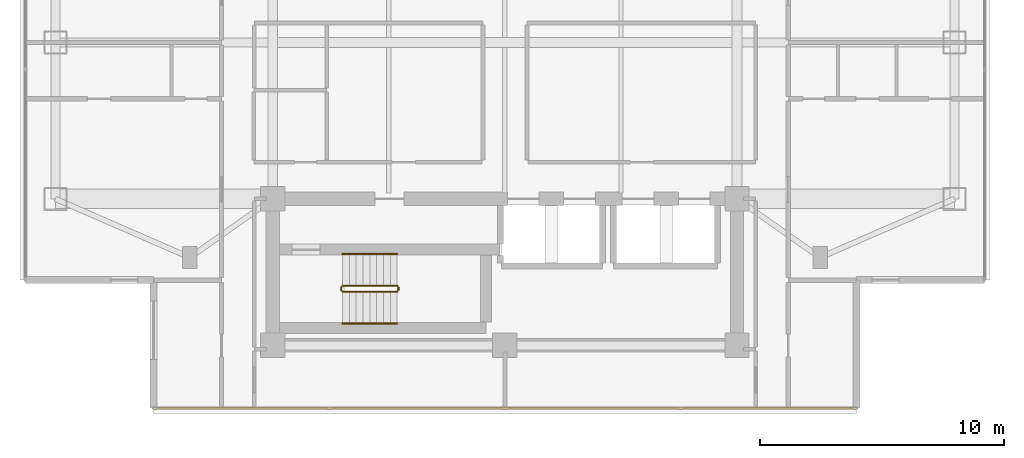
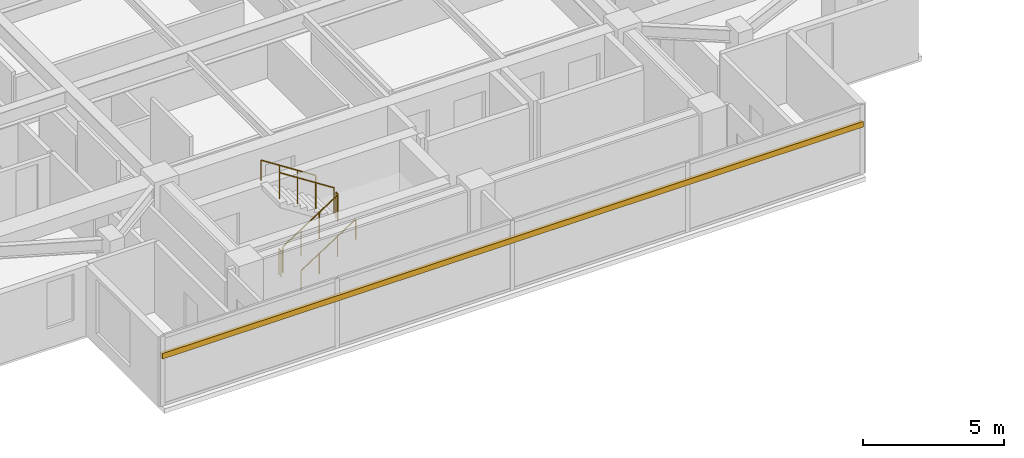
# One storey, part 20 of 24: 6 railings, 1 shading device.
"""IFC4 building model written with IfcOpenShell, lengths in metres."""

from ifc_helpers import new_model, si_unit, direction, frame, origin, origin_2d, place, context, subcontext, project, spatial, rectangle, circle, extrude, material, material_profile, profile_set, type_object, element, save


model = new_model("IFC4")

# Units and contexts
model_context = context("Model", 3, precision=1e-05, world=origin(), true_north=direction((0.0, 1.0)))
body_context = subcontext(model_context, "Body", "Model", "MODEL_VIEW")
ifc_project = project(units=[si_unit("LENGTHUNIT", "METRE"), si_unit("AREAUNIT", "SQUARE_METRE"), si_unit("VOLUMEUNIT", "CUBIC_METRE"), si_unit("PLANEANGLEUNIT", "RADIAN"), si_unit("MASSUNIT", "GRAM", prefix="KILO")], contexts=[model_context])

# Site, building, storey
site_placement = place(None, origin())
site = spatial("IfcSite", under=ifc_project, at=site_placement, CompositionType="ELEMENT")
building_placement = place(site_placement, origin())
building = spatial("IfcBuilding", under=site, at=building_placement, Name="Mirazonda Arch Towers", CompositionType="ELEMENT")
storey_placement = place(building_placement, frame((0.0, 0.0, 154.39990234375)))
storey = spatial("IfcBuildingStorey", under=building, at=storey_placement, Name="L43", CompositionType="ELEMENT", Elevation=154.39990234375)

# Shading device
ifc_material_1 = material(Name="Kiln-Fired Architectural Terracotta", Category="masonry")
ifc_material_profile = material_profile(ifc_material_1, rectangle(XDim=0.1201171875, YDim=0.239990234375, at=origin_2d()), Name="TERRA-BAG-120x240")
ifc_profile_set = profile_set([ifc_material_profile], Name="Kiln-Fired Architectural Terracotta")
shading_device_type = type_object("IfcShadingDeviceType", Name="BAGUETTE-1", PredefinedType="USERDEFINED", material=ifc_profile_set)
shading_device_placement = place(storey_placement, frame((34.885009765625, 9.830078125, 2.181640625), z_axis=(-1.0, 0.0, 0.0), x_axis=(0.0, -1.0, 0.0)))
element("IfcShadingDevice", 1, at=shading_device_placement, inside=storey, type_object=shading_device_type, Name="L43 Glazed Terracotta Sun-Screen Baguette CW-L43-T1-S", ObjectType="BAGUETTE", PredefinedType="USERDEFINED", context=body_context, shape_type="SweptSolid", body=[
    extrude(rectangle(XDim=0.1201171875, YDim=0.239990234375, at=origin_2d()), origin(), (0.0, 0.0, 1.0), 28.77001953125),
])

# Railings
ifc_material_2 = material(Name="Architectural Brushed Steel S355", Category="steel")
railing_type_1 = type_object("IfcRailingType", Name="GUARD-STAIR-1120", PredefinedType="GUARDRAIL", material=ifc_material_2)
railing_1_placement = place(storey_placement, frame((13.85009765625, 14.60009765625, 0.1806640625)))
element("IfcRailing", 2, at=railing_1_placement, inside=storey, type_object=railing_type_1, Name="L43 ST-T1S stair guard 1", PredefinedType="GUARDRAIL", context=body_context, shape_type="SweptSolid", body=[
    extrude(circle(Radius=0.02392578125, at=origin_2d()), frame((0.0, 0.0, 1.1259765625), z_axis=(0.840436612492, 0.0, 0.541909863706), x_axis=(0.0, 1.0, 0.0)), (0.0, 0.0, 1.0), 2.665283203125),
    extrude(circle(Radius=0.02099609375, at=origin_2d()), origin(), (0.0, 0.0, 1.0), 1.101806640625),
    extrude(circle(Radius=0.02099609375, at=origin_2d()), frame((0.74658203125, 0.0, 0.4814453125)), (0.0, 0.0, 1.0), 1.101806640625),
    extrude(circle(Radius=0.02099609375, at=origin_2d()), frame((1.493408203125, 0.0, 0.962890625)), (0.0, 0.0, 1.0), 1.101806640625),
    extrude(circle(Radius=0.02099609375, at=origin_2d()), frame((2.239990234375, 0.0, 1.4443359375)), (0.0, 0.0, 1.0), 1.101806640625),
])
railing_2_placement = place(storey_placement, frame((16.139892578125, 14.64990234375, 1.625)))
element("IfcRailing", 3, at=railing_2_placement, inside=storey, type_object=railing_type_1, Name="L43 ST-T1S stair guard 2", PredefinedType="GUARDRAIL", context=body_context, shape_type="SweptSolid", body=[
    extrude(circle(Radius=0.02392578125, at=origin_2d()), frame((0.0, 0.0, 1.1259765625), z_axis=(0.0, 1.0, 0.0), x_axis=(-1.0, 0.0, 0.0)), (0.0, 0.0, 1.0), 0.14013671875),
    extrude(circle(Radius=0.02099609375, at=origin_2d()), origin(), (0.0, 0.0, 1.0), 1.101806640625),
    extrude(circle(Radius=0.02099609375, at=origin_2d()), frame((0.0, 0.14013671875, 0.0)), (0.0, 0.0, 1.0), 1.101806640625),
])
railing_3_placement = place(storey_placement, frame((16.090087890625, 14.840087890625, 1.8056640625)))
element("IfcRailing", 4, at=railing_3_placement, inside=storey, type_object=railing_type_1, Name="L43 ST-T1S stair guard 3", PredefinedType="GUARDRAIL", context=body_context, shape_type="SweptSolid", body=[
    extrude(circle(Radius=0.02392578125, at=origin_2d()), frame((0.0, 0.0, 1.1259765625), z_axis=(-0.840436612492, 0.0, 0.541909863706), x_axis=(0.0, -1.0, 0.0)), (0.0, 0.0, 1.0), 2.665283203125),
    extrude(circle(Radius=0.02099609375, at=origin_2d()), origin(), (0.0, 0.0, 1.0), 1.101806640625),
    extrude(circle(Radius=0.02099609375, at=origin_2d()), frame((-0.74658203125, 0.0, 0.4814453125)), (0.0, 0.0, 1.0), 1.101806640625),
    extrude(circle(Radius=0.02099609375, at=origin_2d()), frame((-1.493408203125, 0.0, 0.962890625)), (0.0, 0.0, 1.0), 1.101806640625),
    extrude(circle(Radius=0.02099609375, at=origin_2d()), frame((-2.239990234375, 0.0, 1.4443359375)), (0.0, 0.0, 1.0), 1.101806640625),
])
railing_4_placement = place(storey_placement, frame((13.800048828125, 14.64990234375, 0.0)))
element("IfcRailing", 5, at=railing_4_placement, inside=storey, type_object=railing_type_1, Name="L43 ST-T1S stair guard 4", PredefinedType="GUARDRAIL", context=body_context, shape_type="SweptSolid", body=[
    extrude(circle(Radius=0.02392578125, at=origin_2d()), frame((0.0, 0.0, 1.1259765625), z_axis=(0.0, 1.0, 0.0), x_axis=(-1.0, 0.0, 0.0)), (0.0, 0.0, 1.0), 0.14013671875),
    extrude(circle(Radius=0.02099609375, at=origin_2d()), origin(), (0.0, 0.0, 1.0), 1.101806640625),
    extrude(circle(Radius=0.02099609375, at=origin_2d()), frame((0.0, 0.14013671875, 0.0)), (0.0, 0.0, 1.0), 1.101806640625),
])
railing_type_2 = type_object("IfcRailingType", Name="HANDRAIL-915", PredefinedType="HANDRAIL", material=ifc_material_2)
railing_5_placement = place(storey_placement, frame((13.85009765625, 13.300048828125, 0.1806640625)))
element("IfcRailing", 6, at=railing_5_placement, inside=storey, type_object=railing_type_2, Name="L43 ST-T1S stair handrail 1", PredefinedType="HANDRAIL", context=body_context, shape_type="SweptSolid", body=[
    extrude(circle(Radius=0.02392578125, at=origin_2d()), frame((0.0, 0.0, 0.8759765625), z_axis=(0.840436612492, 0.0, 0.541909863706), x_axis=(0.0, 1.0, 0.0)), (0.0, 0.0, 1.0), 2.665283203125),
    extrude(circle(Radius=0.02099609375, at=origin_2d()), origin(), (0.0, 0.0, 1.0), 0.851806640625),
    extrude(circle(Radius=0.02099609375, at=origin_2d()), frame((0.74658203125, 0.0, 0.4814453125)), (0.0, 0.0, 1.0), 0.851806640625),
    extrude(circle(Radius=0.02099609375, at=origin_2d()), frame((1.493408203125, 0.0, 0.962890625)), (0.0, 0.0, 1.0), 0.851806640625),
    extrude(circle(Radius=0.02099609375, at=origin_2d()), frame((2.239990234375, 0.0, 1.4443359375)), (0.0, 0.0, 1.0), 0.851806640625),
])
railing_6_placement = place(storey_placement, frame((16.090087890625, 16.139892578125, 1.8056640625)))
element("IfcRailing", 7, at=railing_6_placement, inside=storey, type_object=railing_type_2, Name="L43 ST-T1S stair handrail 2", PredefinedType="HANDRAIL", context=body_context, shape_type="SweptSolid", body=[
    extrude(circle(Radius=0.02392578125, at=origin_2d()), frame((0.0, 0.0, 0.8759765625), z_axis=(-0.840436612492, 0.0, 0.541909863706), x_axis=(0.0, -1.0, 0.0)), (0.0, 0.0, 1.0), 2.665283203125),
    extrude(circle(Radius=0.02099609375, at=origin_2d()), origin(), (0.0, 0.0, 1.0), 0.851806640625),
    extrude(circle(Radius=0.02099609375, at=origin_2d()), frame((-0.74658203125, 0.0, 0.4814453125)), (0.0, 0.0, 1.0), 0.851806640625),
    extrude(circle(Radius=0.02099609375, at=origin_2d()), frame((-1.493408203125, 0.0, 0.962890625)), (0.0, 0.0, 1.0), 0.851806640625),
    extrude(circle(Radius=0.02099609375, at=origin_2d()), frame((-2.239990234375, 0.0, 1.4443359375)), (0.0, 0.0, 1.0), 0.851806640625),
])

save(model, "model.ifc")
